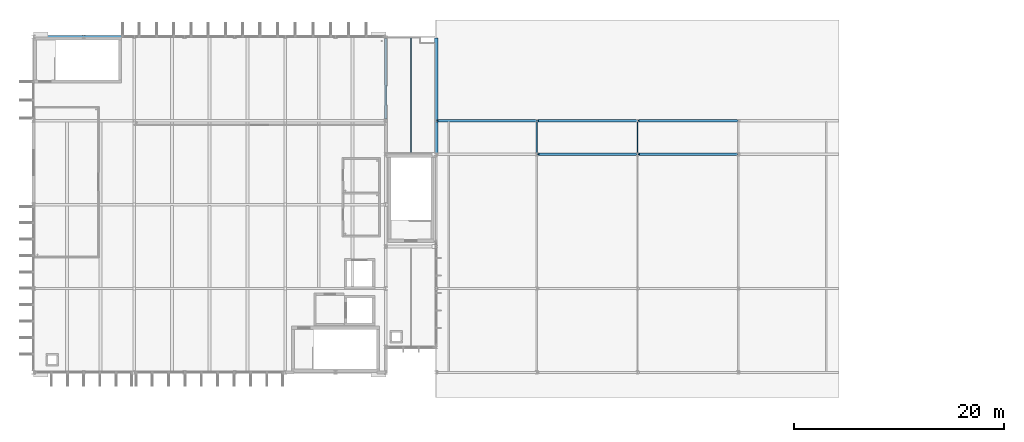
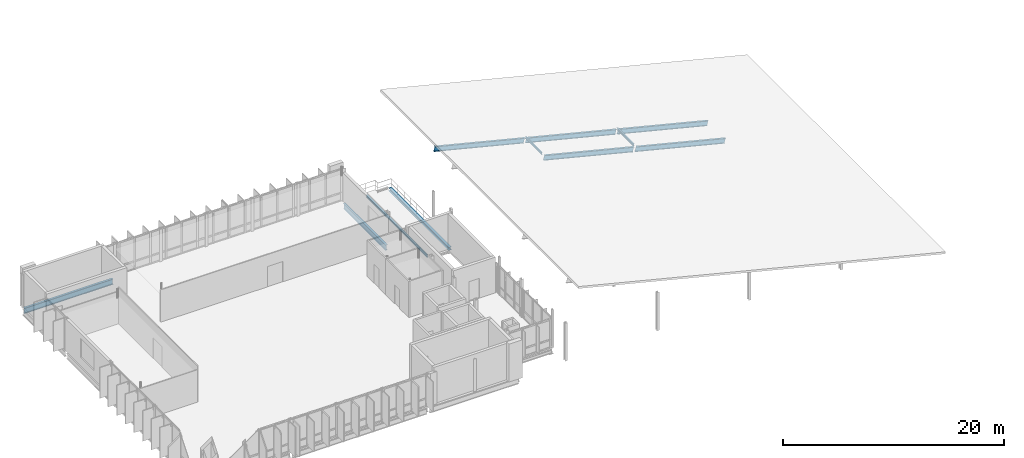
# One storey, part 10 of 22: 7 members, 4 beams.
"""IFC4 building model written with IfcOpenShell, lengths in metres."""

from ifc_helpers import new_model, si_unit, direction, frame, origin, origin_2d, place, context, subcontext, project, spatial, i_section, extrude, material, material_profile, profile_set, type_object, element, save


model = new_model("IFC4")

# Units and contexts
model_context = context("Model", 3, precision=1e-05, world=origin(), true_north=direction((0.0, 1.0)))
body_context = subcontext(model_context, "Body", "Model", "MODEL_VIEW")
ifc_project = project(units=[si_unit("LENGTHUNIT", "METRE"), si_unit("AREAUNIT", "SQUARE_METRE"), si_unit("VOLUMEUNIT", "CUBIC_METRE"), si_unit("PLANEANGLEUNIT", "RADIAN"), si_unit("MASSUNIT", "GRAM", prefix="KILO")], contexts=[model_context])

# Site, building, storey
site_placement = place(None, origin())
site = spatial("IfcSite", under=ifc_project, at=site_placement, CompositionType="ELEMENT")
building_placement = place(site_placement, origin())
building = spatial("IfcBuilding", under=site, at=building_placement, Name="Dunescarp Central Library", CompositionType="ELEMENT")
storey_placement = place(building_placement, frame((0.0, 0.0, 27.60009765625)))
storey = spatial("IfcBuildingStorey", under=building, at=storey_placement, Name="L06", CompositionType="ELEMENT", Elevation=27.60009765625)

# Beams
ifc_material = material(Name="Steel S355JR", Category="steel")
ifc_material_profile_1 = material_profile(ifc_material, i_section(OverallWidth=0.300048828125, OverallDepth=0.330078125, WebThickness=0.009521484375, FlangeThickness=0.0166015625, at=origin_2d()), Name="HEA 340")
ifc_profile_set_1 = profile_set([ifc_material_profile_1], Name="Steel S355JR")
beam_type_1 = type_object("IfcBeamType", Name="STR-BM-HEA340", PredefinedType="BEAM", material=ifc_profile_set_1)
beam_1_placement = place(storey_placement, frame((38.39990234375, 25.735107421875, -0.35498046875), z_axis=(0.0, 1.0, 0.0), x_axis=(-1.0, 0.0, 0.0)))
element("IfcBeam", 1, at=beam_1_placement, inside=storey, type_object=beam_type_1, Name="L06 girder BM-L06-1529", PredefinedType="BEAM", context=body_context, shape_type="SweptSolid", body=[
    extrude(i_section(OverallWidth=0.300048828125, OverallDepth=0.330078125, WebThickness=0.009521484375, FlangeThickness=0.0166015625, at=origin_2d()), origin(), (0.0, 0.0, 1.0), 10.929931640625),
])
ifc_material_profile_2 = material_profile(ifc_material, i_section(OverallWidth=0.22900390625, OverallDepth=0.6123046875, WebThickness=0.011962890625, FlangeThickness=0.01953125, at=origin_2d()), Name="UB 610x229x125")
ifc_profile_set_2 = profile_set([ifc_material_profile_2], Name="Steel S355JR")
beam_type_2 = type_object("IfcBeamType", Name="STR-BM-UB610", PredefinedType="BEAM", material=ifc_profile_set_2)
beam_2_placement = place(storey_placement, frame((0.153076171875, 36.800048828125, -0.51611328125), z_axis=(1.0, 0.0, 0.0), x_axis=(0.0, 1.0, 0.0)))
element("IfcBeam", 2, at=beam_2_placement, inside=storey, type_object=beam_type_2, Name="L06 girder BM-L06-0292", PredefinedType="BEAM", context=body_context, shape_type="SweptSolid", body=[
    extrude(i_section(OverallWidth=0.22900390625, OverallDepth=0.6123046875, WebThickness=0.011962890625, FlangeThickness=0.01953125, at=origin_2d()), origin(), (0.0, 0.0, 1.0), 9.2939453125),
])
ifc_material_profile_3 = material_profile(ifc_material, i_section(OverallWidth=0.2275390625, OverallDepth=0.6025390625, WebThickness=0.010498046875, FlangeThickness=0.014892578125, at=origin_2d()), Name="UB 610x229x101")
ifc_profile_set_3 = profile_set([ifc_material_profile_3], Name="Steel S355JR")
beam_type_3 = type_object("IfcBeamType", Name="STR-BM-UB610X101", PredefinedType="BEAM", material=ifc_profile_set_3)
beam_3_placement = place(storey_placement, frame((33.60009765625, 28.9609375, -0.510986328125), z_axis=(0.0, 1.0, 0.0), x_axis=(-1.0, 0.0, 0.0)))
element("IfcBeam", 3, at=beam_3_placement, inside=storey, type_object=beam_type_3, Name="L06 girder BM-L06-0328", PredefinedType="BEAM", context=body_context, shape_type="SweptSolid", body=[
    extrude(i_section(OverallWidth=0.2275390625, OverallDepth=0.6025390625, WebThickness=0.010498046875, FlangeThickness=0.014892578125, at=origin_2d()), origin(), (0.0, 0.0, 1.0), 7.677978515625),
])
ifc_material_profile_4 = material_profile(ifc_material, i_section(OverallWidth=0.135009765625, OverallDepth=0.27001953125, WebThickness=0.006591796875, FlangeThickness=0.01025390625, at=origin_2d()), Name="IPE 270")
ifc_profile_set_4 = profile_set([ifc_material_profile_4], Name="Steel S355JR")
beam_type_4 = type_object("IfcBeamType", Name="STR-JS-IPE270", PredefinedType="JOIST", material=ifc_profile_set_4)
beam_4_placement = place(storey_placement, frame((36.0, 25.68701171875, -0.3251953125), z_axis=(0.0, 1.0, 0.0), x_axis=(-1.0, 0.0, 0.0)))
element("IfcBeam", 4, at=beam_4_placement, inside=storey, type_object=beam_type_4, Name="L06 joist JS-L06-1530", PredefinedType="JOIST", context=body_context, shape_type="SweptSolid", body=[
    extrude(i_section(OverallWidth=0.135009765625, OverallDepth=0.27001953125, WebThickness=0.006591796875, FlangeThickness=0.01025390625, at=origin_2d()), origin(), (0.0, 0.0, 1.0), 11.02587890625),
])

# Members
ifc_material_profile_5 = material_profile(ifc_material, i_section(OverallWidth=0.1201171875, OverallDepth=0.239990234375, WebThickness=0.006103515625, FlangeThickness=0.009765625, at=origin_2d()), Name="IPE 240")
ifc_profile_set_5 = profile_set([ifc_material_profile_5], Name="Steel S355JR")
member_type_1 = type_object("IfcMemberType", Name="STR-PR-IPE240", PredefinedType="PURLIN", material=ifc_profile_set_5)
for number, where, z_axis, x_axis, name in (
    (5, (48.0, 25.701904296875, 6.81884765625), (0.0, 1.0, 0.0), (-1.0, 0.0, 0.0), "V2 roof purlin PR-V2-006"),
    (6, (57.60009765625, 25.701904296875, 4.4189453125), (0.0, 1.0, 0.0), (-1.0, 0.0, 0.0), "V2 roof purlin PR-V2-009"),
):
    element("IfcMember", number, at=place(storey_placement, frame(where, z_axis=z_axis, x_axis=x_axis)), inside=storey, type_object=member_type_1, Name=name, PredefinedType="PURLIN", context=body_context, shape_type="SweptSolid", body=[
        extrude(i_section(OverallWidth=0.1201171875, OverallDepth=0.239990234375, WebThickness=0.006103515625, FlangeThickness=0.009765625, at=origin_2d()), origin(), (0.0, 0.0, 1.0), 2.99609375),
    ])
ifc_material_profile_6 = material_profile(ifc_material, i_section(OverallWidth=0.209228515625, OverallDepth=0.533203125, WebThickness=0.010009765625, FlangeThickness=0.015625, at=origin_2d()), Name="UB 533x210x92")
ifc_profile_set_6 = profile_set([ifc_material_profile_6], Name="Steel S355JR")
member_type_2 = type_object("IfcMemberType", Name="STR-RF-UB533", PredefinedType="RAFTER", material=ifc_profile_set_6)
for number, where, z_axis, x_axis, name in (
    (7, (48.115966796875, 25.60009765625, 6.406982421875), (0.970141012881, 0.0, -0.242541574016), (0.0, 1.0, 0.0), "V2 raked roof rafter RFT-V2-010"),
    (8, (57.716064453125, 25.60009765625, 4.0068359375), (0.970141012881, 0.0, -0.242541574016), (0.0, 1.0, 0.0), "V2 raked roof rafter RFT-V2-011"),
):
    element("IfcMember", number, at=place(storey_placement, frame(where, z_axis=z_axis, x_axis=x_axis)), inside=storey, type_object=member_type_2, Name=name, PredefinedType="RAFTER", context=body_context, shape_type="SweptSolid", body=[
        extrude(i_section(OverallWidth=0.209228515625, OverallDepth=0.533203125, WebThickness=0.010009765625, FlangeThickness=0.015625, at=origin_2d()), origin(), (0.0, 0.0, 1.0), 9.65625),
    ])
for number, where, z_axis, x_axis, name in (
    (9, (38.488037109375, 28.800048828125, 8.81396484375), (0.970143978516, 0.0, -0.242529711476), (0.0, 1.0, 0.0), "V2 raked roof rafter RFT-V2-013"),
    (10, (48.087890625, 28.800048828125, 6.413818359375), (0.970143978516, 0.0, -0.242529711476), (0.0, 1.0, 0.0), "V2 raked roof rafter RFT-V2-014"),
    (11, (57.68798828125, 28.800048828125, 4.013916015625), (0.970143978516, 0.0, -0.242529711476), (0.0, 1.0, 0.0), "V2 raked roof rafter RFT-V2-015"),
):
    element("IfcMember", number, at=place(storey_placement, frame(where, z_axis=z_axis, x_axis=x_axis)), inside=storey, type_object=member_type_2, Name=name, PredefinedType="RAFTER", context=body_context, shape_type="SweptSolid", body=[
        extrude(i_section(OverallWidth=0.209228515625, OverallDepth=0.533203125, WebThickness=0.010009765625, FlangeThickness=0.015625, at=origin_2d()), origin(), (0.0, 0.0, 1.0), 9.714111328125),
    ])

save(model, "model.ifc")
